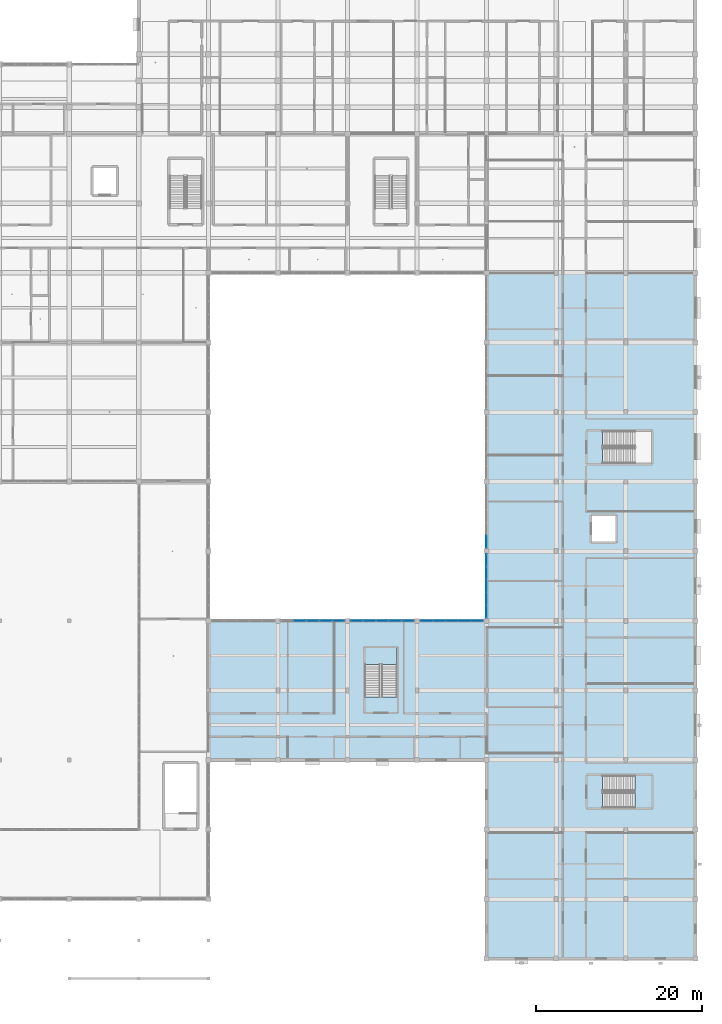
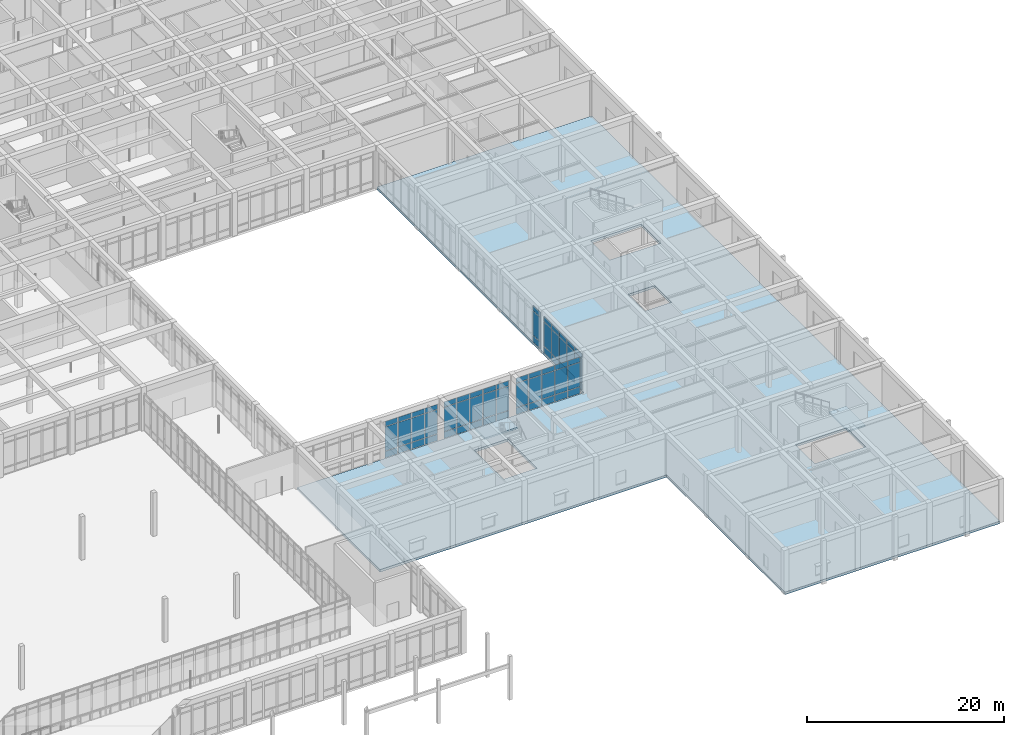
# One storey, part 72 of 157: 60 plates, 3 slabs, 7 elements without a shape of their own.
"""IFC4 building model written with IfcOpenShell, lengths in metres."""

from ifc_helpers import new_model, si_unit, direction, frame, origin, origin_2d, place, context, subcontext, project, spatial, polyline, rectangle, outline, extrude, material, layer, layer_set, type_object, element, aggregate, save


model = new_model("IFC4")

# Units and contexts
model_context = context("Model", 3, precision=1e-05, world=origin(), true_north=direction((0.0, 1.0)))
body_context = subcontext(model_context, "Body", "Model", "MODEL_VIEW")
ifc_project = project(units=[si_unit("LENGTHUNIT", "METRE"), si_unit("AREAUNIT", "SQUARE_METRE"), si_unit("VOLUMEUNIT", "CUBIC_METRE"), si_unit("PLANEANGLEUNIT", "RADIAN"), si_unit("MASSUNIT", "GRAM", prefix="KILO")], contexts=[model_context])

# Site, building, storey
site_placement = place(None, origin())
site = spatial("IfcSite", under=ifc_project, at=site_placement, CompositionType="ELEMENT")
building_placement = place(site_placement, origin())
building = spatial("IfcBuilding", under=site, at=building_placement, Name="Varncliffe General Hospital", CompositionType="ELEMENT")
storey_placement = place(building_placement, frame((0.0, 0.0, 5.39990234375)))
storey = spatial("IfcBuildingStorey", under=building, at=storey_placement, Name="L01", CompositionType="ELEMENT", Elevation=5.39990234375)

# Curtain wall, plates
ifc_material_1 = material(Name="Triple low-E argon insulated vision glazing", Category="glass")
curtain_wall_type_1 = type_object("IfcCurtainWallType", Name="Unitised Glazed Curtain Wall CW70 (7724x4640)", PredefinedType="USERDEFINED", material=ifc_material_1)
curtain_wall_1_placement = place(storey_placement, origin())
curtain_wall_1 = element("IfcCurtainWall", 1, at=curtain_wall_1_placement, inside=storey, type_object=curtain_wall_type_1, Name="L01 Glazed Curtain Wall CW70-61", ObjectType="GLAZED CURTAIN WALL", PredefinedType="USERDEFINED")
ifc_layer_1 = layer(ifc_material_1, 0.0439453125)
ifc_layer_set_1 = layer_set([ifc_layer_1], Name="Triple low-E argon insulated vision glazing")
plate_type_1 = type_object("IfcPlateType", Name="Curtain Wall Glazing Panel CP12 (44mm)", PredefinedType="CURTAIN_PANEL", material=ifc_layer_set_1)
plate_1_placement = place(storey_placement, frame((135.529052734375, 40.800048828125, 0.06005859375), z_axis=(0.0, 0.0, 1.0), x_axis=(1.0, 0.0, 0.0)))
plate_1 = element("IfcPlate", 2, at=plate_1_placement, type_object=plate_type_1, Name="CW70 panel 1.1", PredefinedType="CURTAIN_PANEL", context=body_context, shape_type="SweptSolid", body=[
    extrude(rectangle(XDim=1.432373046875, YDim=0.0439453125, at=origin_2d()), origin(), (0.0, 0.0, 1.0), 0.81005859375),
])
plate_2_placement = place(storey_placement, frame((135.529052734375, 40.800048828125, 0.93017578125), z_axis=(0.0, 0.0, 1.0), x_axis=(1.0, 0.0, 0.0)))
plate_2 = element("IfcPlate", 3, at=plate_2_placement, type_object=plate_type_1, Name="CW70 panel 1.2", PredefinedType="CURTAIN_PANEL", context=body_context, shape_type="SweptSolid", body=[
    extrude(rectangle(XDim=1.432373046875, YDim=0.0439453125, at=origin_2d()), origin(), (0.0, 0.0, 1.0), 2.97998046875),
])
plate_3_placement = place(storey_placement, frame((135.529052734375, 40.800048828125, 3.97021484375), z_axis=(0.0, 0.0, 1.0), x_axis=(1.0, 0.0, 0.0)))
plate_3 = element("IfcPlate", 4, at=plate_3_placement, type_object=plate_type_1, Name="CW70 panel 1.3", PredefinedType="CURTAIN_PANEL", context=body_context, shape_type="SweptSolid", body=[
    extrude(rectangle(XDim=1.432373046875, YDim=0.0439453125, at=origin_2d()), origin(), (0.0, 0.0, 1.0), 0.610107421875),
])
plate_4_placement = place(storey_placement, frame((137.05517578125, 40.800048828125, 0.06005859375), z_axis=(0.0, 0.0, 1.0), x_axis=(1.0, 0.0, 0.0)))
plate_4 = element("IfcPlate", 5, at=plate_4_placement, type_object=plate_type_1, Name="CW70 panel 2.1", PredefinedType="CURTAIN_PANEL", context=body_context, shape_type="SweptSolid", body=[
    extrude(rectangle(XDim=1.4697265625, YDim=0.0439453125, at=origin_2d()), origin(), (0.0, 0.0, 1.0), 0.81005859375),
])
plate_5_placement = place(storey_placement, frame((137.05517578125, 40.800048828125, 0.93017578125), z_axis=(0.0, 0.0, 1.0), x_axis=(1.0, 0.0, 0.0)))
plate_5 = element("IfcPlate", 6, at=plate_5_placement, type_object=plate_type_1, Name="CW70 panel 2.2", PredefinedType="CURTAIN_PANEL", context=body_context, shape_type="SweptSolid", body=[
    extrude(rectangle(XDim=1.4697265625, YDim=0.0439453125, at=origin_2d()), origin(), (0.0, 0.0, 1.0), 2.97998046875),
])
plate_6_placement = place(storey_placement, frame((137.05517578125, 40.800048828125, 3.97021484375), z_axis=(0.0, 0.0, 1.0), x_axis=(1.0, 0.0, 0.0)))
plate_6 = element("IfcPlate", 7, at=plate_6_placement, type_object=plate_type_1, Name="CW70 panel 2.3", PredefinedType="CURTAIN_PANEL", context=body_context, shape_type="SweptSolid", body=[
    extrude(rectangle(XDim=1.4697265625, YDim=0.0439453125, at=origin_2d()), origin(), (0.0, 0.0, 1.0), 0.610107421875),
])
plate_7_placement = place(storey_placement, frame((138.60009765625, 40.800048828125, 0.06005859375), z_axis=(0.0, 0.0, 1.0), x_axis=(1.0, 0.0, 0.0)))
plate_7 = element("IfcPlate", 8, at=plate_7_placement, type_object=plate_type_1, Name="CW70 panel 3.1", PredefinedType="CURTAIN_PANEL", context=body_context, shape_type="SweptSolid", body=[
    extrude(rectangle(XDim=1.4697265625, YDim=0.0439453125, at=origin_2d()), origin(), (0.0, 0.0, 1.0), 0.81005859375),
])
plate_8_placement = place(storey_placement, frame((138.60009765625, 40.800048828125, 0.93017578125), z_axis=(0.0, 0.0, 1.0), x_axis=(1.0, 0.0, 0.0)))
plate_8 = element("IfcPlate", 9, at=plate_8_placement, type_object=plate_type_1, Name="CW70 panel 3.2", PredefinedType="CURTAIN_PANEL", context=body_context, shape_type="SweptSolid", body=[
    extrude(rectangle(XDim=1.4697265625, YDim=0.0439453125, at=origin_2d()), origin(), (0.0, 0.0, 1.0), 2.97998046875),
])
plate_9_placement = place(storey_placement, frame((138.60009765625, 40.800048828125, 3.97021484375), z_axis=(0.0, 0.0, 1.0), x_axis=(1.0, 0.0, 0.0)))
plate_9 = element("IfcPlate", 10, at=plate_9_placement, type_object=plate_type_1, Name="CW70 panel 3.3", PredefinedType="CURTAIN_PANEL", context=body_context, shape_type="SweptSolid", body=[
    extrude(rectangle(XDim=1.4697265625, YDim=0.0439453125, at=origin_2d()), origin(), (0.0, 0.0, 1.0), 0.610107421875),
])
plate_10_placement = place(storey_placement, frame((140.144775390625, 40.800048828125, 0.06005859375), z_axis=(0.0, 0.0, 1.0), x_axis=(1.0, 0.0, 0.0)))
plate_10 = element("IfcPlate", 11, at=plate_10_placement, type_object=plate_type_1, Name="CW70 panel 4.1", PredefinedType="CURTAIN_PANEL", context=body_context, shape_type="SweptSolid", body=[
    extrude(rectangle(XDim=1.4697265625, YDim=0.0439453125, at=origin_2d()), origin(), (0.0, 0.0, 1.0), 0.81005859375),
])
plate_11_placement = place(storey_placement, frame((140.144775390625, 40.800048828125, 0.93017578125), z_axis=(0.0, 0.0, 1.0), x_axis=(1.0, 0.0, 0.0)))
plate_11 = element("IfcPlate", 12, at=plate_11_placement, type_object=plate_type_1, Name="CW70 panel 4.2", PredefinedType="CURTAIN_PANEL", context=body_context, shape_type="SweptSolid", body=[
    extrude(rectangle(XDim=1.4697265625, YDim=0.0439453125, at=origin_2d()), origin(), (0.0, 0.0, 1.0), 2.97998046875),
])
plate_12_placement = place(storey_placement, frame((140.144775390625, 40.800048828125, 3.97021484375), z_axis=(0.0, 0.0, 1.0), x_axis=(1.0, 0.0, 0.0)))
plate_12 = element("IfcPlate", 13, at=plate_12_placement, type_object=plate_type_1, Name="CW70 panel 4.3", PredefinedType="CURTAIN_PANEL", context=body_context, shape_type="SweptSolid", body=[
    extrude(rectangle(XDim=1.4697265625, YDim=0.0439453125, at=origin_2d()), origin(), (0.0, 0.0, 1.0), 0.610107421875),
])
plate_13_placement = place(storey_placement, frame((141.6708984375, 40.800048828125, 0.06005859375), z_axis=(0.0, 0.0, 1.0), x_axis=(1.0, 0.0, 0.0)))
plate_13 = element("IfcPlate", 14, at=plate_13_placement, type_object=plate_type_1, Name="CW70 panel 5.1", PredefinedType="CURTAIN_PANEL", context=body_context, shape_type="SweptSolid", body=[
    extrude(rectangle(XDim=1.432373046875, YDim=0.0439453125, at=origin_2d()), origin(), (0.0, 0.0, 1.0), 0.81005859375),
])
plate_14_placement = place(storey_placement, frame((141.6708984375, 40.800048828125, 0.93017578125), z_axis=(0.0, 0.0, 1.0), x_axis=(1.0, 0.0, 0.0)))
plate_14 = element("IfcPlate", 15, at=plate_14_placement, type_object=plate_type_1, Name="CW70 panel 5.2", PredefinedType="CURTAIN_PANEL", context=body_context, shape_type="SweptSolid", body=[
    extrude(rectangle(XDim=1.432373046875, YDim=0.0439453125, at=origin_2d()), origin(), (0.0, 0.0, 1.0), 2.97998046875),
])
plate_15_placement = place(storey_placement, frame((141.6708984375, 40.800048828125, 3.97021484375), z_axis=(0.0, 0.0, 1.0), x_axis=(1.0, 0.0, 0.0)))
plate_15 = element("IfcPlate", 16, at=plate_15_placement, type_object=plate_type_1, Name="CW70 panel 5.3", PredefinedType="CURTAIN_PANEL", context=body_context, shape_type="SweptSolid", body=[
    extrude(rectangle(XDim=1.432373046875, YDim=0.0439453125, at=origin_2d()), origin(), (0.0, 0.0, 1.0), 0.610107421875),
])
aggregate(curtain_wall_1, [plate_1, plate_2, plate_3, plate_4, plate_5, plate_6, plate_7, plate_8, plate_9, plate_10, plate_11, plate_12, plate_13, plate_14, plate_15])

curtain_wall_2_placement = place(storey_placement, origin())
curtain_wall_2 = element("IfcCurtainWall", 17, at=curtain_wall_2_placement, inside=storey, type_object=curtain_wall_type_1, Name="L01 Glazed Curtain Wall CW70-64", ObjectType="GLAZED CURTAIN WALL", PredefinedType="USERDEFINED")
plate_16_placement = place(storey_placement, frame((151.199951171875, 50.3291015625, 0.06005859375), z_axis=(0.0, 0.0, 1.0), x_axis=(0.0, 1.0, 0.0)))
plate_16 = element("IfcPlate", 18, at=plate_16_placement, type_object=plate_type_1, Name="CW70 panel 1.1", PredefinedType="CURTAIN_PANEL", context=body_context, shape_type="SweptSolid", body=[
    extrude(rectangle(XDim=1.432373046875, YDim=0.0439453125, at=origin_2d()), origin(), (0.0, 0.0, 1.0), 0.81005859375),
])
plate_17_placement = place(storey_placement, frame((151.199951171875, 50.3291015625, 0.93017578125), z_axis=(0.0, 0.0, 1.0), x_axis=(0.0, 1.0, 0.0)))
plate_17 = element("IfcPlate", 19, at=plate_17_placement, type_object=plate_type_1, Name="CW70 panel 1.2", PredefinedType="CURTAIN_PANEL", context=body_context, shape_type="SweptSolid", body=[
    extrude(rectangle(XDim=1.432373046875, YDim=0.0439453125, at=origin_2d()), origin(), (0.0, 0.0, 1.0), 2.97998046875),
])
plate_18_placement = place(storey_placement, frame((151.199951171875, 50.3291015625, 3.97021484375), z_axis=(0.0, 0.0, 1.0), x_axis=(0.0, 1.0, 0.0)))
plate_18 = element("IfcPlate", 20, at=plate_18_placement, type_object=plate_type_1, Name="CW70 panel 1.3", PredefinedType="CURTAIN_PANEL", context=body_context, shape_type="SweptSolid", body=[
    extrude(rectangle(XDim=1.432373046875, YDim=0.0439453125, at=origin_2d()), origin(), (0.0, 0.0, 1.0), 0.610107421875),
])
aggregate(curtain_wall_2, [plate_16, plate_17, plate_18])

curtain_wall_type_2 = type_object("IfcCurtainWallType", Name="Unitised Glazed Curtain Wall CW85 (7804x4640)", PredefinedType="USERDEFINED", material=ifc_material_1)
curtain_wall_3_placement = place(storey_placement, origin())
curtain_wall_3 = element("IfcCurtainWall", 21, at=curtain_wall_3_placement, inside=storey, type_object=curtain_wall_type_2, Name="L01 Glazed Curtain Wall CW85-60", ObjectType="GLAZED CURTAIN WALL", PredefinedType="USERDEFINED")
ifc_layer_2 = layer(ifc_material_1, 0.035888671875)
ifc_layer_set_2 = layer_set([ifc_layer_2], Name="Triple low-E argon insulated vision glazing")
plate_type_2 = type_object("IfcPlateType", Name="Curtain Wall Glazing Panel CP27 (36mm)", PredefinedType="CURTAIN_PANEL", material=ifc_layer_set_2)
plate_19_placement = place(storey_placement, frame((128.63916015625, 40.800048828125, 0.06494140625), z_axis=(0.0, 0.0, 1.0), x_axis=(1.0, 0.0, 0.0)))
plate_19 = element("IfcPlate", 22, at=plate_19_placement, type_object=plate_type_2, Name="CW85 panel 2.1", PredefinedType="CURTAIN_PANEL", context=body_context, shape_type="SweptSolid", body=[
    extrude(rectangle(XDim=1.48583984375, YDim=0.035888671875, at=origin_2d()), origin(), (0.0, 0.0, 1.0), 0.802490234375),
])
plate_20_placement = place(storey_placement, frame((128.63916015625, 40.800048828125, 0.9326171875), z_axis=(0.0, 0.0, 1.0), x_axis=(1.0, 0.0, 0.0)))
plate_20 = element("IfcPlate", 23, at=plate_20_placement, type_object=plate_type_2, Name="CW85 panel 2.2", PredefinedType="CURTAIN_PANEL", context=body_context, shape_type="SweptSolid", body=[
    extrude(rectangle(XDim=1.48583984375, YDim=0.035888671875, at=origin_2d()), origin(), (0.0, 0.0, 1.0), 2.97509765625),
])
plate_21_placement = place(storey_placement, frame((128.63916015625, 40.800048828125, 3.97265625), z_axis=(0.0, 0.0, 1.0), x_axis=(1.0, 0.0, 0.0)))
plate_21 = element("IfcPlate", 24, at=plate_21_placement, type_object=plate_type_2, Name="CW85 panel 2.3", PredefinedType="CURTAIN_PANEL", context=body_context, shape_type="SweptSolid", body=[
    extrude(rectangle(XDim=1.48583984375, YDim=0.035888671875, at=origin_2d()), origin(), (0.0, 0.0, 1.0), 0.6025390625),
])
plate_22_placement = place(storey_placement, frame((130.199951171875, 40.800048828125, 0.06494140625), z_axis=(0.0, 0.0, 1.0), x_axis=(1.0, 0.0, 0.0)))
plate_22 = element("IfcPlate", 25, at=plate_22_placement, type_object=plate_type_2, Name="CW85 panel 3.1", PredefinedType="CURTAIN_PANEL", context=body_context, shape_type="SweptSolid", body=[
    extrude(rectangle(XDim=1.48583984375, YDim=0.035888671875, at=origin_2d()), origin(), (0.0, 0.0, 1.0), 0.802490234375),
])
plate_23_placement = place(storey_placement, frame((130.199951171875, 40.800048828125, 0.9326171875), z_axis=(0.0, 0.0, 1.0), x_axis=(1.0, 0.0, 0.0)))
plate_23 = element("IfcPlate", 26, at=plate_23_placement, type_object=plate_type_2, Name="CW85 panel 3.2", PredefinedType="CURTAIN_PANEL", context=body_context, shape_type="SweptSolid", body=[
    extrude(rectangle(XDim=1.48583984375, YDim=0.035888671875, at=origin_2d()), origin(), (0.0, 0.0, 1.0), 2.97509765625),
])
plate_24_placement = place(storey_placement, frame((130.199951171875, 40.800048828125, 3.97265625), z_axis=(0.0, 0.0, 1.0), x_axis=(1.0, 0.0, 0.0)))
plate_24 = element("IfcPlate", 27, at=plate_24_placement, type_object=plate_type_2, Name="CW85 panel 3.3", PredefinedType="CURTAIN_PANEL", context=body_context, shape_type="SweptSolid", body=[
    extrude(rectangle(XDim=1.48583984375, YDim=0.035888671875, at=origin_2d()), origin(), (0.0, 0.0, 1.0), 0.6025390625),
])
plate_25_placement = place(storey_placement, frame((131.7607421875, 40.800048828125, 0.06494140625), z_axis=(0.0, 0.0, 1.0), x_axis=(1.0, 0.0, 0.0)))
plate_25 = element("IfcPlate", 28, at=plate_25_placement, type_object=plate_type_2, Name="CW85 panel 4.1", PredefinedType="CURTAIN_PANEL", context=body_context, shape_type="SweptSolid", body=[
    extrude(rectangle(XDim=1.48583984375, YDim=0.035888671875, at=origin_2d()), origin(), (0.0, 0.0, 1.0), 0.802490234375),
])
plate_26_placement = place(storey_placement, frame((131.7607421875, 40.800048828125, 0.9326171875), z_axis=(0.0, 0.0, 1.0), x_axis=(1.0, 0.0, 0.0)))
plate_26 = element("IfcPlate", 29, at=plate_26_placement, type_object=plate_type_2, Name="CW85 panel 4.2", PredefinedType="CURTAIN_PANEL", context=body_context, shape_type="SweptSolid", body=[
    extrude(rectangle(XDim=1.48583984375, YDim=0.035888671875, at=origin_2d()), origin(), (0.0, 0.0, 1.0), 2.97509765625),
])
plate_27_placement = place(storey_placement, frame((131.7607421875, 40.800048828125, 3.97265625), z_axis=(0.0, 0.0, 1.0), x_axis=(1.0, 0.0, 0.0)))
plate_27 = element("IfcPlate", 30, at=plate_27_placement, type_object=plate_type_2, Name="CW85 panel 4.3", PredefinedType="CURTAIN_PANEL", context=body_context, shape_type="SweptSolid", body=[
    extrude(rectangle(XDim=1.48583984375, YDim=0.035888671875, at=origin_2d()), origin(), (0.0, 0.0, 1.0), 0.6025390625),
])
plate_28_placement = place(storey_placement, frame((133.302734375, 40.800048828125, 0.06494140625), z_axis=(0.0, 0.0, 1.0), x_axis=(1.0, 0.0, 0.0)))
plate_28 = element("IfcPlate", 31, at=plate_28_placement, type_object=plate_type_2, Name="CW85 panel 5.1", PredefinedType="CURTAIN_PANEL", context=body_context, shape_type="SweptSolid", body=[
    extrude(rectangle(XDim=1.4482421875, YDim=0.035888671875, at=origin_2d()), origin(), (0.0, 0.0, 1.0), 0.802490234375),
])
plate_29_placement = place(storey_placement, frame((133.302734375, 40.800048828125, 0.9326171875), z_axis=(0.0, 0.0, 1.0), x_axis=(1.0, 0.0, 0.0)))
plate_29 = element("IfcPlate", 32, at=plate_29_placement, type_object=plate_type_2, Name="CW85 panel 5.2", PredefinedType="CURTAIN_PANEL", context=body_context, shape_type="SweptSolid", body=[
    extrude(rectangle(XDim=1.4482421875, YDim=0.035888671875, at=origin_2d()), origin(), (0.0, 0.0, 1.0), 2.97509765625),
])
plate_30_placement = place(storey_placement, frame((133.302734375, 40.800048828125, 3.97265625), z_axis=(0.0, 0.0, 1.0), x_axis=(1.0, 0.0, 0.0)))
plate_30 = element("IfcPlate", 33, at=plate_30_placement, type_object=plate_type_2, Name="CW85 panel 5.3", PredefinedType="CURTAIN_PANEL", context=body_context, shape_type="SweptSolid", body=[
    extrude(rectangle(XDim=1.4482421875, YDim=0.035888671875, at=origin_2d()), origin(), (0.0, 0.0, 1.0), 0.6025390625),
])
aggregate(curtain_wall_3, [plate_19, plate_20, plate_21, plate_22, plate_23, plate_24, plate_25, plate_26, plate_27, plate_28, plate_29, plate_30])

curtain_wall_4_placement = place(storey_placement, origin())
curtain_wall_4 = element("IfcCurtainWall", 34, at=curtain_wall_4_placement, inside=storey, type_object=curtain_wall_type_2, Name="L01 Glazed Curtain Wall CW85-63", ObjectType="GLAZED CURTAIN WALL", PredefinedType="USERDEFINED")
plate_31_placement = place(storey_placement, frame((151.199951171875, 41.897216796875, 0.06494140625), z_axis=(0.0, 0.0, 1.0), x_axis=(0.0, 1.0, 0.0)))
plate_31 = element("IfcPlate", 35, at=plate_31_placement, type_object=plate_type_2, Name="CW85 panel 1.1", PredefinedType="CURTAIN_PANEL", context=body_context, shape_type="SweptSolid", body=[
    extrude(rectangle(XDim=1.4482421875, YDim=0.035888671875, at=origin_2d()), origin(), (0.0, 0.0, 1.0), 0.802490234375),
])
plate_32_placement = place(storey_placement, frame((151.199951171875, 41.897216796875, 0.9326171875), z_axis=(0.0, 0.0, 1.0), x_axis=(0.0, 1.0, 0.0)))
plate_32 = element("IfcPlate", 36, at=plate_32_placement, type_object=plate_type_2, Name="CW85 panel 1.2", PredefinedType="CURTAIN_PANEL", context=body_context, shape_type="SweptSolid", body=[
    extrude(rectangle(XDim=1.4482421875, YDim=0.035888671875, at=origin_2d()), origin(), (0.0, 0.0, 1.0), 2.97509765625),
])
plate_33_placement = place(storey_placement, frame((151.199951171875, 41.897216796875, 3.97265625), z_axis=(0.0, 0.0, 1.0), x_axis=(0.0, 1.0, 0.0)))
plate_33 = element("IfcPlate", 37, at=plate_33_placement, type_object=plate_type_2, Name="CW85 panel 1.3", PredefinedType="CURTAIN_PANEL", context=body_context, shape_type="SweptSolid", body=[
    extrude(rectangle(XDim=1.4482421875, YDim=0.035888671875, at=origin_2d()), origin(), (0.0, 0.0, 1.0), 0.6025390625),
])
plate_34_placement = place(storey_placement, frame((151.199951171875, 43.439208984375, 0.06494140625), z_axis=(0.0, 0.0, 1.0), x_axis=(0.0, 1.0, 0.0)))
plate_34 = element("IfcPlate", 38, at=plate_34_placement, type_object=plate_type_2, Name="CW85 panel 2.1", PredefinedType="CURTAIN_PANEL", context=body_context, shape_type="SweptSolid", body=[
    extrude(rectangle(XDim=1.48583984375, YDim=0.035888671875, at=origin_2d()), origin(), (0.0, 0.0, 1.0), 0.802490234375),
])
plate_35_placement = place(storey_placement, frame((151.199951171875, 43.439208984375, 0.9326171875), z_axis=(0.0, 0.0, 1.0), x_axis=(0.0, 1.0, 0.0)))
plate_35 = element("IfcPlate", 39, at=plate_35_placement, type_object=plate_type_2, Name="CW85 panel 2.2", PredefinedType="CURTAIN_PANEL", context=body_context, shape_type="SweptSolid", body=[
    extrude(rectangle(XDim=1.48583984375, YDim=0.035888671875, at=origin_2d()), origin(), (0.0, 0.0, 1.0), 2.97509765625),
])
plate_36_placement = place(storey_placement, frame((151.199951171875, 43.439208984375, 3.97265625), z_axis=(0.0, 0.0, 1.0), x_axis=(0.0, 1.0, 0.0)))
plate_36 = element("IfcPlate", 40, at=plate_36_placement, type_object=plate_type_2, Name="CW85 panel 2.3", PredefinedType="CURTAIN_PANEL", context=body_context, shape_type="SweptSolid", body=[
    extrude(rectangle(XDim=1.48583984375, YDim=0.035888671875, at=origin_2d()), origin(), (0.0, 0.0, 1.0), 0.6025390625),
])
plate_37_placement = place(storey_placement, frame((151.199951171875, 45.0, 0.06494140625), z_axis=(0.0, 0.0, 1.0), x_axis=(0.0, 1.0, 0.0)))
plate_37 = element("IfcPlate", 41, at=plate_37_placement, type_object=plate_type_2, Name="CW85 panel 3.1", PredefinedType="CURTAIN_PANEL", context=body_context, shape_type="SweptSolid", body=[
    extrude(rectangle(XDim=1.48583984375, YDim=0.035888671875, at=origin_2d()), origin(), (0.0, 0.0, 1.0), 0.802490234375),
])
plate_38_placement = place(storey_placement, frame((151.199951171875, 45.0, 0.9326171875), z_axis=(0.0, 0.0, 1.0), x_axis=(0.0, 1.0, 0.0)))
plate_38 = element("IfcPlate", 42, at=plate_38_placement, type_object=plate_type_2, Name="CW85 panel 3.2", PredefinedType="CURTAIN_PANEL", context=body_context, shape_type="SweptSolid", body=[
    extrude(rectangle(XDim=1.48583984375, YDim=0.035888671875, at=origin_2d()), origin(), (0.0, 0.0, 1.0), 2.97509765625),
])
plate_39_placement = place(storey_placement, frame((151.199951171875, 45.0, 3.97265625), z_axis=(0.0, 0.0, 1.0), x_axis=(0.0, 1.0, 0.0)))
plate_39 = element("IfcPlate", 43, at=plate_39_placement, type_object=plate_type_2, Name="CW85 panel 3.3", PredefinedType="CURTAIN_PANEL", context=body_context, shape_type="SweptSolid", body=[
    extrude(rectangle(XDim=1.48583984375, YDim=0.035888671875, at=origin_2d()), origin(), (0.0, 0.0, 1.0), 0.6025390625),
])
plate_40_placement = place(storey_placement, frame((151.199951171875, 46.560791015625, 0.06494140625), z_axis=(0.0, 0.0, 1.0), x_axis=(0.0, 1.0, 0.0)))
plate_40 = element("IfcPlate", 44, at=plate_40_placement, type_object=plate_type_2, Name="CW85 panel 4.1", PredefinedType="CURTAIN_PANEL", context=body_context, shape_type="SweptSolid", body=[
    extrude(rectangle(XDim=1.48583984375, YDim=0.035888671875, at=origin_2d()), origin(), (0.0, 0.0, 1.0), 0.802490234375),
])
plate_41_placement = place(storey_placement, frame((151.199951171875, 46.560791015625, 0.9326171875), z_axis=(0.0, 0.0, 1.0), x_axis=(0.0, 1.0, 0.0)))
plate_41 = element("IfcPlate", 45, at=plate_41_placement, type_object=plate_type_2, Name="CW85 panel 4.2", PredefinedType="CURTAIN_PANEL", context=body_context, shape_type="SweptSolid", body=[
    extrude(rectangle(XDim=1.48583984375, YDim=0.035888671875, at=origin_2d()), origin(), (0.0, 0.0, 1.0), 2.97509765625),
])
plate_42_placement = place(storey_placement, frame((151.199951171875, 46.560791015625, 3.97265625), z_axis=(0.0, 0.0, 1.0), x_axis=(0.0, 1.0, 0.0)))
plate_42 = element("IfcPlate", 46, at=plate_42_placement, type_object=plate_type_2, Name="CW85 panel 4.3", PredefinedType="CURTAIN_PANEL", context=body_context, shape_type="SweptSolid", body=[
    extrude(rectangle(XDim=1.48583984375, YDim=0.035888671875, at=origin_2d()), origin(), (0.0, 0.0, 1.0), 0.6025390625),
])
plate_43_placement = place(storey_placement, frame((151.199951171875, 48.102783203125, 0.06494140625), z_axis=(0.0, 0.0, 1.0), x_axis=(0.0, 1.0, 0.0)))
plate_43 = element("IfcPlate", 47, at=plate_43_placement, type_object=plate_type_2, Name="CW85 panel 5.1", PredefinedType="CURTAIN_PANEL", context=body_context, shape_type="SweptSolid", body=[
    extrude(rectangle(XDim=1.4482421875, YDim=0.035888671875, at=origin_2d()), origin(), (0.0, 0.0, 1.0), 0.802490234375),
])
plate_44_placement = place(storey_placement, frame((151.199951171875, 48.102783203125, 0.9326171875), z_axis=(0.0, 0.0, 1.0), x_axis=(0.0, 1.0, 0.0)))
plate_44 = element("IfcPlate", 48, at=plate_44_placement, type_object=plate_type_2, Name="CW85 panel 5.2", PredefinedType="CURTAIN_PANEL", context=body_context, shape_type="SweptSolid", body=[
    extrude(rectangle(XDim=1.4482421875, YDim=0.035888671875, at=origin_2d()), origin(), (0.0, 0.0, 1.0), 2.97509765625),
])
plate_45_placement = place(storey_placement, frame((151.199951171875, 48.102783203125, 3.97265625), z_axis=(0.0, 0.0, 1.0), x_axis=(0.0, 1.0, 0.0)))
plate_45 = element("IfcPlate", 49, at=plate_45_placement, type_object=plate_type_2, Name="CW85 panel 5.3", PredefinedType="CURTAIN_PANEL", context=body_context, shape_type="SweptSolid", body=[
    extrude(rectangle(XDim=1.4482421875, YDim=0.035888671875, at=origin_2d()), origin(), (0.0, 0.0, 1.0), 0.6025390625),
])
aggregate(curtain_wall_4, [plate_31, plate_32, plate_33, plate_34, plate_35, plate_36, plate_37, plate_38, plate_39, plate_40, plate_41, plate_42, plate_43, plate_44, plate_45])

curtain_wall_type_3 = type_object("IfcCurtainWallType", Name="Unitised Glazed Curtain Wall CW27 (7644x4640)", PredefinedType="USERDEFINED", material=ifc_material_1)
curtain_wall_5_placement = place(storey_placement, origin())
curtain_wall_5 = element("IfcCurtainWall", 50, at=curtain_wall_5_placement, inside=storey, type_object=curtain_wall_type_3, Name="L01 Glazed Curtain Wall CW27-62", ObjectType="GLAZED CURTAIN WALL", PredefinedType="USERDEFINED")
ifc_layer_3 = layer(ifc_material_1, 0.028076171875)
ifc_layer_set_3 = layer_set([ifc_layer_3], Name="Triple low-E argon insulated vision glazing")
plate_type_3 = type_object("IfcPlateType", Name="Curtain Wall Glazing Panel CP48 (28mm)", PredefinedType="CURTAIN_PANEL", material=ifc_layer_set_3)
plate_46_placement = place(storey_placement, frame((143.958740234375, 40.800048828125, 0.06005859375), z_axis=(0.0, 0.0, 1.0), x_axis=(1.0, 0.0, 0.0)))
plate_46 = element("IfcPlate", 51, at=plate_46_placement, type_object=plate_type_3, Name="CW27 panel 1.1", PredefinedType="CURTAIN_PANEL", context=body_context, shape_type="SweptSolid", body=[
    extrude(rectangle(XDim=1.431396484375, YDim=0.028076171875, at=origin_2d()), origin(), (0.0, 0.0, 1.0), 0.81005859375),
])
plate_47_placement = place(storey_placement, frame((143.958740234375, 40.800048828125, 0.93017578125), z_axis=(0.0, 0.0, 1.0), x_axis=(1.0, 0.0, 0.0)))
plate_47 = element("IfcPlate", 52, at=plate_47_placement, type_object=plate_type_3, Name="CW27 panel 1.2", PredefinedType="CURTAIN_PANEL", context=body_context, shape_type="SweptSolid", body=[
    extrude(rectangle(XDim=1.431396484375, YDim=0.028076171875, at=origin_2d()), origin(), (0.0, 0.0, 1.0), 2.97998046875),
])
plate_48_placement = place(storey_placement, frame((143.958740234375, 40.800048828125, 3.97021484375), z_axis=(0.0, 0.0, 1.0), x_axis=(1.0, 0.0, 0.0)))
plate_48 = element("IfcPlate", 53, at=plate_48_placement, type_object=plate_type_3, Name="CW27 panel 1.3", PredefinedType="CURTAIN_PANEL", context=body_context, shape_type="SweptSolid", body=[
    extrude(rectangle(XDim=1.431396484375, YDim=0.028076171875, at=origin_2d()), origin(), (0.0, 0.0, 1.0), 0.610107421875),
])
plate_49_placement = place(storey_placement, frame((145.47119140625, 40.800048828125, 0.06005859375), z_axis=(0.0, 0.0, 1.0), x_axis=(1.0, 0.0, 0.0)))
plate_49 = element("IfcPlate", 54, at=plate_49_placement, type_object=plate_type_3, Name="CW27 panel 2.1", PredefinedType="CURTAIN_PANEL", context=body_context, shape_type="SweptSolid", body=[
    extrude(rectangle(XDim=1.4638671875, YDim=0.028076171875, at=origin_2d()), origin(), (0.0, 0.0, 1.0), 0.81005859375),
])
plate_50_placement = place(storey_placement, frame((145.47119140625, 40.800048828125, 0.93017578125), z_axis=(0.0, 0.0, 1.0), x_axis=(1.0, 0.0, 0.0)))
plate_50 = element("IfcPlate", 55, at=plate_50_placement, type_object=plate_type_3, Name="CW27 panel 2.2", PredefinedType="CURTAIN_PANEL", context=body_context, shape_type="SweptSolid", body=[
    extrude(rectangle(XDim=1.4638671875, YDim=0.028076171875, at=origin_2d()), origin(), (0.0, 0.0, 1.0), 2.97998046875),
])
plate_51_placement = place(storey_placement, frame((145.47119140625, 40.800048828125, 3.97021484375), z_axis=(0.0, 0.0, 1.0), x_axis=(1.0, 0.0, 0.0)))
plate_51 = element("IfcPlate", 56, at=plate_51_placement, type_object=plate_type_3, Name="CW27 panel 2.3", PredefinedType="CURTAIN_PANEL", context=body_context, shape_type="SweptSolid", body=[
    extrude(rectangle(XDim=1.4638671875, YDim=0.028076171875, at=origin_2d()), origin(), (0.0, 0.0, 1.0), 0.610107421875),
])
plate_52_placement = place(storey_placement, frame((147.0, 40.800048828125, 0.06005859375), z_axis=(0.0, 0.0, 1.0), x_axis=(1.0, 0.0, 0.0)))
plate_52 = element("IfcPlate", 57, at=plate_52_placement, type_object=plate_type_3, Name="CW27 panel 3.1", PredefinedType="CURTAIN_PANEL", context=body_context, shape_type="SweptSolid", body=[
    extrude(rectangle(XDim=1.4638671875, YDim=0.028076171875, at=origin_2d()), origin(), (0.0, 0.0, 1.0), 0.81005859375),
])
plate_53_placement = place(storey_placement, frame((147.0, 40.800048828125, 0.93017578125), z_axis=(0.0, 0.0, 1.0), x_axis=(1.0, 0.0, 0.0)))
plate_53 = element("IfcPlate", 58, at=plate_53_placement, type_object=plate_type_3, Name="CW27 panel 3.2", PredefinedType="CURTAIN_PANEL", context=body_context, shape_type="SweptSolid", body=[
    extrude(rectangle(XDim=1.4638671875, YDim=0.028076171875, at=origin_2d()), origin(), (0.0, 0.0, 1.0), 2.97998046875),
])
plate_54_placement = place(storey_placement, frame((147.0, 40.800048828125, 3.97021484375), z_axis=(0.0, 0.0, 1.0), x_axis=(1.0, 0.0, 0.0)))
plate_54 = element("IfcPlate", 59, at=plate_54_placement, type_object=plate_type_3, Name="CW27 panel 3.3", PredefinedType="CURTAIN_PANEL", context=body_context, shape_type="SweptSolid", body=[
    extrude(rectangle(XDim=1.4638671875, YDim=0.028076171875, at=origin_2d()), origin(), (0.0, 0.0, 1.0), 0.610107421875),
])
plate_55_placement = place(storey_placement, frame((148.52880859375, 40.800048828125, 0.06005859375), z_axis=(0.0, 0.0, 1.0), x_axis=(1.0, 0.0, 0.0)))
plate_55 = element("IfcPlate", 60, at=plate_55_placement, type_object=plate_type_3, Name="CW27 panel 4.1", PredefinedType="CURTAIN_PANEL", context=body_context, shape_type="SweptSolid", body=[
    extrude(rectangle(XDim=1.4638671875, YDim=0.028076171875, at=origin_2d()), origin(), (0.0, 0.0, 1.0), 0.81005859375),
])
plate_56_placement = place(storey_placement, frame((148.52880859375, 40.800048828125, 0.93017578125), z_axis=(0.0, 0.0, 1.0), x_axis=(1.0, 0.0, 0.0)))
plate_56 = element("IfcPlate", 61, at=plate_56_placement, type_object=plate_type_3, Name="CW27 panel 4.2", PredefinedType="CURTAIN_PANEL", context=body_context, shape_type="SweptSolid", body=[
    extrude(rectangle(XDim=1.4638671875, YDim=0.028076171875, at=origin_2d()), origin(), (0.0, 0.0, 1.0), 2.97998046875),
])
plate_57_placement = place(storey_placement, frame((148.52880859375, 40.800048828125, 3.97021484375), z_axis=(0.0, 0.0, 1.0), x_axis=(1.0, 0.0, 0.0)))
plate_57 = element("IfcPlate", 62, at=plate_57_placement, type_object=plate_type_3, Name="CW27 panel 4.3", PredefinedType="CURTAIN_PANEL", context=body_context, shape_type="SweptSolid", body=[
    extrude(rectangle(XDim=1.4638671875, YDim=0.028076171875, at=origin_2d()), origin(), (0.0, 0.0, 1.0), 0.610107421875),
])
plate_58_placement = place(storey_placement, frame((150.041259765625, 40.800048828125, 0.06005859375), z_axis=(0.0, 0.0, 1.0), x_axis=(1.0, 0.0, 0.0)))
plate_58 = element("IfcPlate", 63, at=plate_58_placement, type_object=plate_type_3, Name="CW27 panel 5.1", PredefinedType="CURTAIN_PANEL", context=body_context, shape_type="SweptSolid", body=[
    extrude(rectangle(XDim=1.431396484375, YDim=0.028076171875, at=origin_2d()), origin(), (0.0, 0.0, 1.0), 0.81005859375),
])
plate_59_placement = place(storey_placement, frame((150.041259765625, 40.800048828125, 0.93017578125), z_axis=(0.0, 0.0, 1.0), x_axis=(1.0, 0.0, 0.0)))
plate_59 = element("IfcPlate", 64, at=plate_59_placement, type_object=plate_type_3, Name="CW27 panel 5.2", PredefinedType="CURTAIN_PANEL", context=body_context, shape_type="SweptSolid", body=[
    extrude(rectangle(XDim=1.431396484375, YDim=0.028076171875, at=origin_2d()), origin(), (0.0, 0.0, 1.0), 2.97998046875),
])
plate_60_placement = place(storey_placement, frame((150.041259765625, 40.800048828125, 3.97021484375), z_axis=(0.0, 0.0, 1.0), x_axis=(1.0, 0.0, 0.0)))
plate_60 = element("IfcPlate", 65, at=plate_60_placement, type_object=plate_type_3, Name="CW27 panel 5.3", PredefinedType="CURTAIN_PANEL", context=body_context, shape_type="SweptSolid", body=[
    extrude(rectangle(XDim=1.431396484375, YDim=0.028076171875, at=origin_2d()), origin(), (0.0, 0.0, 1.0), 0.610107421875),
])
aggregate(curtain_wall_5, [plate_46, plate_47, plate_48, plate_49, plate_50, plate_51, plate_52, plate_53, plate_54, plate_55, plate_56, plate_57, plate_58, plate_59, plate_60])

# Slab
ifc_material_2 = material(Name="Concrete C35/45 (CSA A23.1 35 MPa)", Category="concrete")
ifc_layer_4 = layer(ifc_material_2, 0.300048828125)
ifc_layer_set_4 = layer_set([ifc_layer_4], Name="Concrete C35/45 (CSA A23.1 35 MPa)")
slab_type_1 = type_object("IfcSlabType", Name="Floor Slab SL56 (Int 300mm)", PredefinedType="FLOOR", material=ifc_layer_set_4)
slab_1_placement = place(storey_placement, frame((0.0, 0.0, -0.2998046875)))
element("IfcSlab", 66, at=slab_1_placement, inside=storey, type_object=slab_type_1, Name="L01 V5 Structural Floor Slab 1", PredefinedType="FLOOR", context=body_context, shape_type="SweptSolid", body=[
    extrude(outline(polyline([(117.60009765625, 24.0), (117.60009765625, 40.800048828125), (151.199951171875, 40.800048828125), (151.199951171875, 82.800048828125), (176.39990234375, 82.800048828125), (176.39990234375, 0.0), (151.199951171875, 0.0), (151.199951171875, 24.0), (117.60009765625, 24.0)]), holes=[polyline([(165.199951171875, 59.800048828125), (171.14990234375, 59.800048828125), (171.14990234375, 63.699951171875), (165.199951171875, 63.699951171875), (165.199951171875, 59.800048828125)]), polyline([(165.199951171875, 18.199951171875), (171.14990234375, 18.199951171875), (171.14990234375, 22.10009765625), (165.199951171875, 22.10009765625), (165.199951171875, 18.199951171875)]), polyline([(140.39990234375, 31.60009765625), (140.39990234375, 37.550048828125), (136.5, 37.550048828125), (136.5, 31.60009765625), (140.39990234375, 31.60009765625)]), polyline([(163.800048828125, 50.199951171875), (166.89990234375, 50.199951171875), (166.89990234375, 53.60009765625), (163.800048828125, 53.60009765625), (163.800048828125, 50.199951171875)])]), origin(), (0.0, 0.0, 1.0), 0.2998046875),
])

# Stair, slab
stair_type = type_object("IfcStairType", Name="Hospital Stair Assembly ST-T02 (1850w-5400h)", PredefinedType="TWO_STRAIGHT_RUN_STAIR", material=ifc_material_2)
stair_1_placement = place(storey_placement, origin())
stair_1 = element("IfcStair", 67, at=stair_1_placement, inside=storey, type_object=stair_type, Name="L01 Outpatient South-East Exit Stair 11", PredefinedType="TWO_STRAIGHT_RUN_STAIR")
ifc_layer_5 = layer(ifc_material_2, 0.199951171875)
ifc_layer_set_5 = layer_set([ifc_layer_5], Name="Concrete C35/45 (CSA A23.1 35 MPa)")
slab_type_2 = type_object("IfcSlabType", Name="Reinforced Concrete Stair Landing LND50 (200mm)", PredefinedType="LANDING", material=ifc_layer_set_5)
slab_2_placement = place(storey_placement, frame((0.0, 0.0, 2.5)))
slab_2 = element("IfcSlab", 68, at=slab_2_placement, type_object=slab_type_2, Name="ST11 landing 1", PredefinedType="LANDING", context=body_context, shape_type="SweptSolid", body=[
    extrude(outline(polyline([(169.1201171875, 18.199951171875), (171.14990234375, 18.199951171875), (171.14990234375, 22.10009765625), (169.1201171875, 22.10009765625), (169.1201171875, 18.199951171875)])), origin(), (0.0, 0.0, 1.0), 0.2001953125),
])
aggregate(stair_1, [slab_2])

stair_2_placement = place(storey_placement, origin())
stair_2 = element("IfcStair", 69, at=stair_2_placement, inside=storey, type_object=stair_type, Name="L01 Outpatient Cloister Exit Stair 15", PredefinedType="TWO_STRAIGHT_RUN_STAIR")
slab_3_placement = place(storey_placement, frame((0.0, 0.0, 2.5)))
slab_3 = element("IfcSlab", 70, at=slab_3_placement, type_object=slab_type_2, Name="ST15 landing 1", PredefinedType="LANDING", context=body_context, shape_type="SweptSolid", body=[
    extrude(outline(polyline([(140.39990234375, 35.52001953125), (140.39990234375, 37.550048828125), (136.5, 37.550048828125), (136.5, 35.52001953125), (140.39990234375, 35.52001953125)])), origin(), (0.0, 0.0, 1.0), 0.2001953125),
])
aggregate(stair_2, [slab_3])

save(model, "model.ifc")
